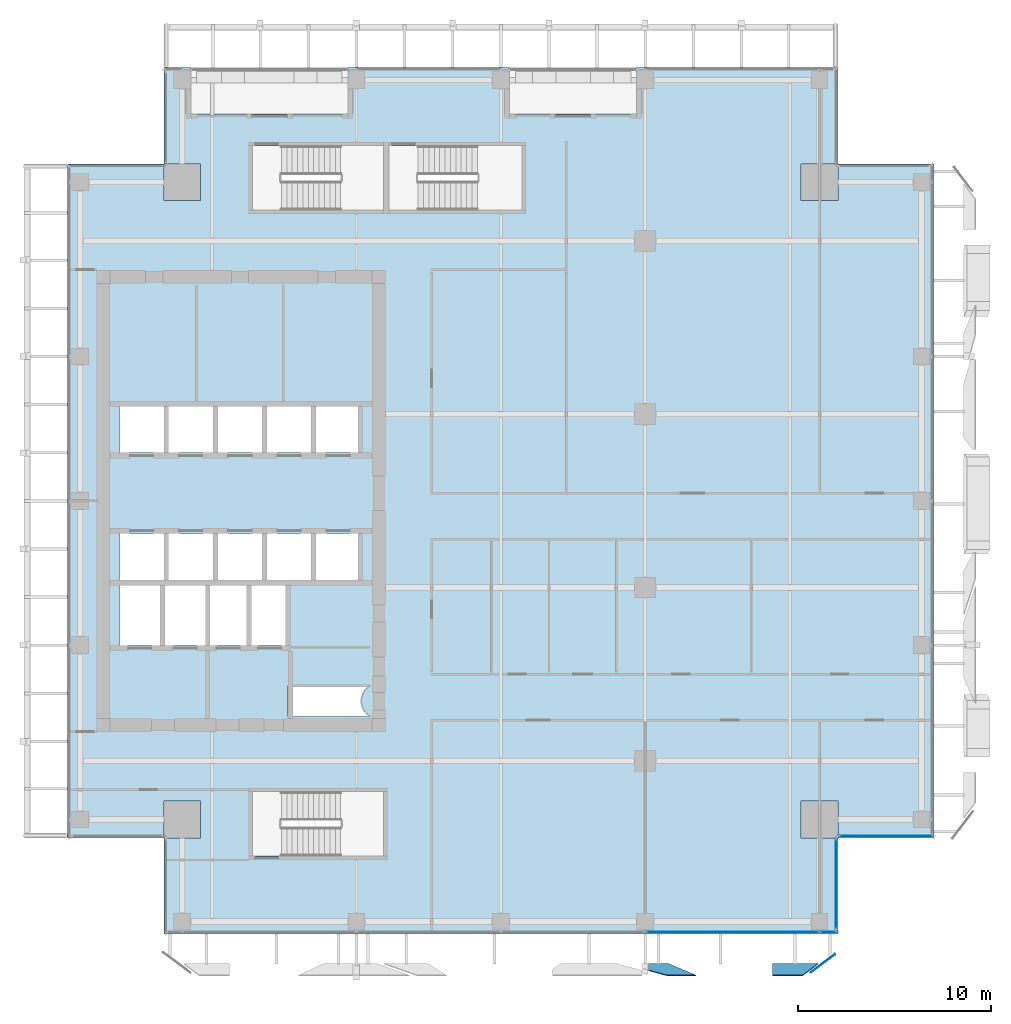
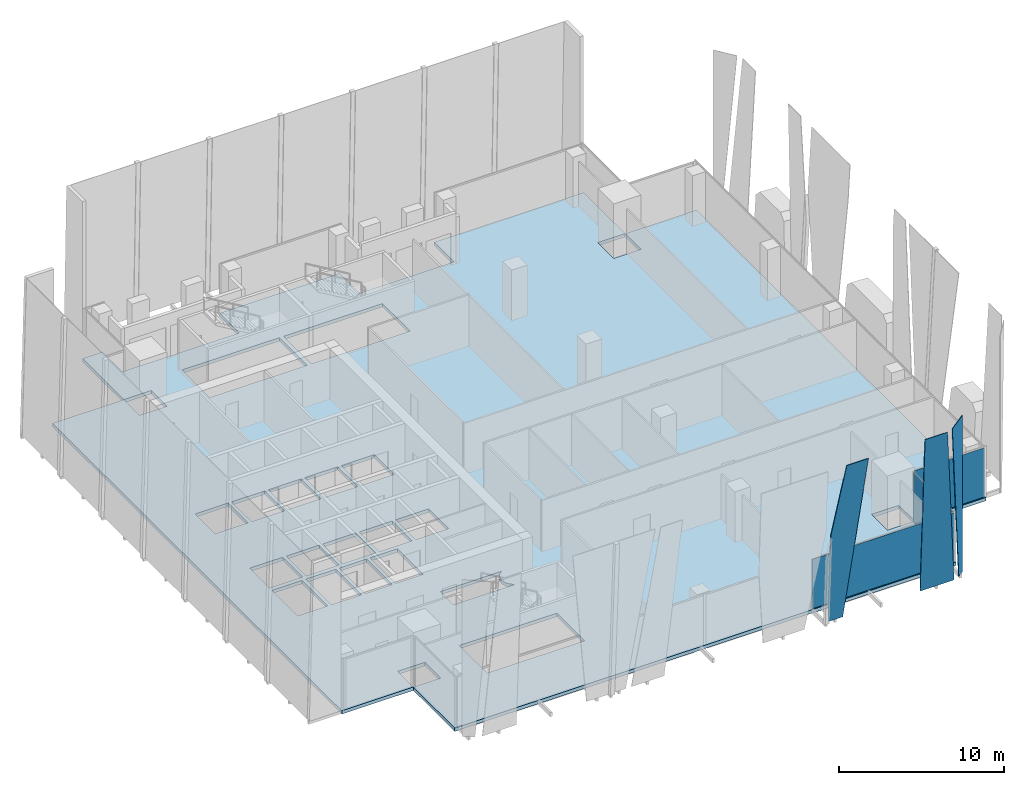
# One storey, part 22 of 33: 7 plates, 1 slab, 3 elements without a shape of their own.
"""IFC4 building model written with IfcOpenShell, lengths in metres."""

from ifc_helpers import new_model, si_unit, direction, frame, origin, origin_2d, place, context, subcontext, project, spatial, polyline, rectangle, outline, extrude, source, transform, mapped, material, layer, layer_set, type_object, element, aggregate, save


model = new_model("IFC4")

# Units and contexts
model_context = context("Model", 3, precision=1e-05, world=origin(), true_north=direction((0.0, 1.0)))
body_context = subcontext(model_context, "Body", "Model", "MODEL_VIEW")
ifc_project = project(units=[si_unit("LENGTHUNIT", "METRE"), si_unit("AREAUNIT", "SQUARE_METRE"), si_unit("VOLUMEUNIT", "CUBIC_METRE"), si_unit("PLANEANGLEUNIT", "RADIAN"), si_unit("MASSUNIT", "GRAM", prefix="KILO")], contexts=[model_context])

# Site, building, storey
site_placement = place(None, origin())
site = spatial("IfcSite", under=ifc_project, at=site_placement, CompositionType="ELEMENT")
building_placement = place(site_placement, origin())
building = spatial("IfcBuilding", under=site, at=building_placement, Name="Khomas Fold Tower", CompositionType="ELEMENT")
storey_placement = place(building_placement, frame((0.0, 0.0, 234.199951171875)))
storey = spatial("IfcBuildingStorey", under=building, at=storey_placement, Name="L52", CompositionType="ELEMENT", Elevation=234.199951171875)

# Plates
ifc_material_1 = material(Name="Clear laminated glass", Category="glass")
ifc_layer_1 = layer(ifc_material_1, 0.0400390625)
ifc_layer_set_1 = layer_set([ifc_layer_1], Name="Clear laminated glass")
plate_type_1 = type_object("IfcPlateType", Name="SK-Clear laminated glass leaf", PredefinedType="SHEET", material=ifc_layer_set_1)
plate_1_placement = place(storey_placement, frame((35.698486328125, 2.97119140625, 0.0), z_axis=(2.4559259e-05, 0.998628934894, 0.052347395239), x_axis=(-0.999999999698, 2.4525586e-05, 1.285613e-06)))
element("IfcPlate", 1, at=plate_1_placement, inside=storey, type_object=plate_type_1, Name="OUTER SKIN glass L52 SG103-8", PredefinedType="SHEET", context=body_context, shape_type="SweptSolid", body=[
    extrude(outline(polyline([(0.0, 0.0), (1.028564452814807, 0.0), (1.0285644543456718, 6.553904439711552), (0.06591796814949342, 11.565907674659146), (-1.4436035157702674, 11.565907674659146), (0.0, 0.0)])), origin(), (0.0, 0.0, -1.0), 0.0400390625),
])
plate_2_placement = place(storey_placement, frame((43.46875, 2.97119140625, 0.0), z_axis=(0.0, 0.99862882819, 0.052349436554), x_axis=(-1.0, 0.0, 0.0)))
element("IfcPlate", 2, at=plate_2_placement, inside=storey, type_object=plate_type_1, Name="OUTER SKIN glass L52 SG104-10", PredefinedType="SHEET", context=body_context, shape_type="SweptSolid", body=[
    extrude(outline(polyline([(0.0, 0.0), (2.36865234375, 0.0), (2.36865234375, 11.565907674683308), (0.799560546875, 11.565907674683308), (0.0, 0.0)])), origin(), (0.0, 0.0, -1.0), 0.0400390625),
])
plate_3_placement = place(storey_placement, frame((43.86962890625, 3.122802734375, 0.0), z_axis=(-0.603452393108, 0.797399027608, 4.709485e-06), x_axis=(-0.068969114787, -0.052200050116, 0.996252184928)))
element("IfcPlate", 3, at=plate_3_placement, inside=storey, type_object=plate_type_1, Name="OUTER SKIN glass L52 SG104-11", PredefinedType="SHEET", context=body_context, shape_type="SweptSolid", body=[
    extrude(outline(polyline([(0.0, 0.0), (11.59349911911952, 2.220446049250313e-16), (11.456818699888862, 1.574268515751649), (-0.04994268115327237, 0.5752337571620276), (0.0, 0.0)])), origin(), (0.0, 0.0, -1.0), 0.0400390625),
])

# Slab
ifc_material_2 = material(Name="Concrete C40/50", Category="concrete")
ifc_layer_2 = layer(ifc_material_2, 0.25)
ifc_layer_set_2 = layer_set([ifc_layer_2], Name="Concrete C40/50")
slab_type = type_object("IfcSlabType", Name="RC floor slab 250", PredefinedType="FLOOR", material=ifc_layer_set_2)
shared_shape_1 = source(origin(), body_context, "Body", "SweptSolid", [
    extrude(outline(polyline([(4.5, 9.5), (9.4951171875, 9.5), (9.4951171875, 11.405029296875), (11.405029296875, 11.405029296875), (11.405029296875, 9.4951171875), (9.5, 9.4951171875), (9.5, 4.5), (44.5, 4.5), (44.5, 9.4951171875), (42.594970703125, 9.4951171875), (42.594970703125, 11.405029296875), (44.5048828125, 11.405029296875), (44.5048828125, 9.5), (49.5, 9.5), (49.5, 44.5), (44.5048828125, 44.5), (44.5048828125, 42.594970703125), (42.594970703125, 42.594970703125), (42.594970703125, 44.5048828125), (44.5, 44.5048828125), (44.5, 49.5), (34.050048828125, 49.5), (34.050048828125, 47.10009765625), (27.449951171875, 47.10009765625), (27.449951171875, 49.5), (19.050048828125, 49.5), (19.050048828125, 47.10009765625), (10.89990234375, 47.10009765625), (10.89990234375, 49.5), (9.5, 49.5), (9.5, 44.5048828125), (11.405029296875, 44.5048828125), (11.405029296875, 42.594970703125), (9.4951171875, 42.594970703125), (9.4951171875, 44.5), (4.5, 44.5), (4.5, 9.5)]), holes=[polyline([(7.199951171875, 19.5), (7.199951171875, 22.60009765625), (9.300048828125, 22.60009765625), (9.300048828125, 19.5), (7.199951171875, 19.5)]), polyline([(7.199951171875, 22.89990234375), (7.199951171875, 25.300048828125), (9.5, 25.300048828125), (9.5, 22.89990234375), (7.199951171875, 22.89990234375)]), polyline([(7.199951171875, 29.5), (7.199951171875, 31.89990234375), (9.5, 31.89990234375), (9.5, 29.5), (7.199951171875, 29.5)]), polyline([(9.550048828125, 19.5), (9.550048828125, 22.60009765625), (11.64990234375, 22.60009765625), (11.64990234375, 19.5), (9.550048828125, 19.5)]), polyline([(9.75, 22.89990234375), (9.75, 25.300048828125), (12.050048828125, 25.300048828125), (12.050048828125, 22.89990234375), (9.75, 22.89990234375)]), polyline([(9.75, 29.5), (9.75, 31.89990234375), (12.050048828125, 31.89990234375), (12.050048828125, 29.5), (9.75, 29.5)]), polyline([(11.89990234375, 19.5), (11.89990234375, 22.60009765625), (13.800048828125, 22.60009765625), (13.800048828125, 19.5), (11.89990234375, 19.5)]), polyline([(12.300048828125, 22.89990234375), (12.300048828125, 25.300048828125), (14.60009765625, 25.300048828125), (14.60009765625, 22.89990234375), (12.300048828125, 22.89990234375)]), polyline([(12.300048828125, 29.5), (12.300048828125, 31.89990234375), (14.60009765625, 31.89990234375), (14.60009765625, 29.5), (12.300048828125, 29.5)]), polyline([(14.050048828125, 19.5), (14.050048828125, 22.60009765625), (15.949951171875, 22.60009765625), (15.949951171875, 19.5), (14.050048828125, 19.5)]), polyline([(14.10009765625, 8.550048828125), (14.10009765625, 11.89990234375), (20.89990234375, 11.89990234375), (20.89990234375, 8.550048828125), (14.10009765625, 8.550048828125)]), polyline([(14.10009765625, 42.10009765625), (14.10009765625, 45.449951171875), (20.89990234375, 45.449951171875), (20.89990234375, 42.10009765625), (14.10009765625, 42.10009765625)]), polyline([(14.85009765625, 22.89990234375), (14.85009765625, 25.300048828125), (17.14990234375, 25.300048828125), (17.14990234375, 22.89990234375), (14.85009765625, 22.89990234375)]), polyline([(14.85009765625, 29.5), (14.85009765625, 31.89990234375), (17.14990234375, 31.89990234375), (17.14990234375, 29.5), (14.85009765625, 29.5)]), polyline([(15.949951171875, 15.800048828125), (15.949951171875, 17.39990234375), (20.199951171875, 17.39990234375), (20.199951171875, 17.37841796875), (20.14990234375, 17.348388671875), (20.0791015625, 17.295654296875), (20.013671875, 17.236328125), (19.954345703125, 17.1708984375), (19.901611328125, 17.10009765625), (19.856201171875, 17.0244140625), (19.818603515625, 16.9443359375), (19.788818359375, 16.861328125), (19.767333984375, 16.775634765625), (19.75439453125, 16.688232421875), (19.75, 16.60009765625), (19.75439453125, 16.51171875), (19.767333984375, 16.42431640625), (19.788818359375, 16.338623046875), (19.818603515625, 16.255615234375), (19.856201171875, 16.17578125), (19.901611328125, 16.10009765625), (19.954345703125, 16.029052734375), (20.013671875, 15.963623046875), (20.0791015625, 15.904296875), (20.14990234375, 15.851806640625), (20.199951171875, 15.82177734375), (20.199951171875, 15.800048828125), (15.949951171875, 15.800048828125)]), polyline([(17.39990234375, 22.89990234375), (17.39990234375, 25.300048828125), (19.699951171875, 25.300048828125), (19.699951171875, 22.89990234375), (17.39990234375, 22.89990234375)]), polyline([(17.39990234375, 29.5), (17.39990234375, 31.89990234375), (19.699951171875, 31.89990234375), (19.699951171875, 29.5), (17.39990234375, 29.5)]), polyline([(21.199951171875, 42.10009765625), (21.199951171875, 45.449951171875), (28.10009765625, 45.449951171875), (28.10009765625, 42.10009765625), (21.199951171875, 42.10009765625)])]), origin(), (0.0, 0.0, 1.0), 0.25),
])
slab_placement = place(storey_placement, frame((0.0, 0.0, -0.25)))
element("IfcSlab", 4, at=slab_placement, inside=storey, type_object=slab_type, Name="S-L52", PredefinedType="FLOOR", context=body_context, shape_type="MappedRepresentation", body=[
    mapped(shared_shape_1, transform((0.0, 0.0, 0.0))),
])

# Curtain wall, plates
ifc_material_3 = material(Name="Aluminium framed double glazing", Category="aluminium")
curtain_wall_type = type_object("IfcCurtainWallType", Name="SK-Unitised clear-glass wall, office floors CW2", PredefinedType="NOTDEFINED", material=ifc_material_3)
curtain_wall_1_placement = place(storey_placement, origin())
curtain_wall_1 = element("IfcCurtainWall", 5, at=curtain_wall_1_placement, inside=storey, type_object=curtain_wall_type, Name="CW2 run L52 00-0", PredefinedType="NOTDEFINED")
ifc_material_4 = material(Name="Clear double glazed unit")
ifc_layer_3 = layer(ifc_material_4, 0.030029296875)
ifc_layer_set_3 = layer_set([ifc_layer_3], Name="Clear double glazed unit")
plate_type_2 = type_object("IfcPlateType", Name="SK-Unitised clear-glass wall, office floors glass panel CW2-P", PredefinedType="CURTAIN_PANEL", material=ifc_layer_set_3)
shared_shape_2 = source(origin(), body_context, "Body", "SweptSolid", [
    extrude(rectangle(XDim=0.860107421875, YDim=0.030029296875, at=origin_2d()), origin(), (0.0, 0.0, 1.0), 3.639892578125),
])
plate_4_placement = place(storey_placement, frame((44.010009765625, 4.60009765625, 0.0), z_axis=(0.0, 0.0, 1.0), x_axis=(1.0, 0.0, 0.0)))
plate_4 = element("IfcPlate", 6, at=plate_4_placement, type_object=plate_type_2, Name="CW2 glass panel 6", PredefinedType="CURTAIN_PANEL", context=body_context, shape_type="MappedRepresentation", body=[
    mapped(shared_shape_2, transform((0.0, 0.0, 0.0))),
])
shared_shape_3 = source(origin(), body_context, "Body", "SweptSolid", [
    extrude(rectangle(XDim=8.989990234375, YDim=0.030029296875, at=origin_2d()), origin(), (0.0, 0.0, 1.0), 3.639892578125),
])
plate_5_placement = place(storey_placement, frame((39.02490234375, 4.60009765625, 0.0), z_axis=(0.0, 0.0, 1.0), x_axis=(1.0, 0.0, 0.0)))
plate_5 = element("IfcPlate", 7, at=plate_5_placement, type_object=plate_type_2, Name="CW2 glass panel 5", PredefinedType="CURTAIN_PANEL", context=body_context, shape_type="MappedRepresentation", body=[
    mapped(shared_shape_3, transform((0.0, 0.0, 0.0))),
])
aggregate(curtain_wall_1, [plate_5, plate_4])

# Curtain wall, plate
curtain_wall_2_placement = place(storey_placement, origin())
curtain_wall_2 = element("IfcCurtainWall", 8, at=curtain_wall_2_placement, inside=storey, type_object=curtain_wall_type, Name="CW2 corner return L52 01", PredefinedType="NOTDEFINED")
shared_shape_4 = source(origin(), body_context, "Body", "SweptSolid", [
    extrude(rectangle(XDim=4.679931640625, YDim=0.030029296875, at=origin_2d()), origin(), (0.0, 0.0, 1.0), 3.639892578125),
])
plate_6_placement = place(storey_placement, frame((44.39990234375, 7.10009765625, 0.0), z_axis=(0.0, 0.0, 1.0), x_axis=(0.0, 1.0, 0.0)))
plate_6 = element("IfcPlate", 9, at=plate_6_placement, type_object=plate_type_2, Name="CW2 glass panel 1", PredefinedType="CURTAIN_PANEL", context=body_context, shape_type="MappedRepresentation", body=[
    mapped(shared_shape_4, transform((0.0, 0.0, 0.0))),
])
aggregate(curtain_wall_2, [plate_6])

curtain_wall_3_placement = place(storey_placement, origin())
curtain_wall_3 = element("IfcCurtainWall", 10, at=curtain_wall_3_placement, inside=storey, type_object=curtain_wall_type, Name="CW2 corner return L52 02", PredefinedType="NOTDEFINED")
shared_shape_5 = source(origin(), body_context, "Body", "SweptSolid", [
    extrude(rectangle(XDim=4.8798828125, YDim=0.030029296875, at=origin_2d()), origin(), (0.0, 0.0, 1.0), 3.639892578125),
])
plate_7_placement = place(storey_placement, frame((47.0, 9.60009765625, 0.0), z_axis=(0.0, 0.0, 1.0), x_axis=(1.0, 0.0, 0.0)))
plate_7 = element("IfcPlate", 11, at=plate_7_placement, type_object=plate_type_2, Name="CW2 glass panel 1", PredefinedType="CURTAIN_PANEL", context=body_context, shape_type="MappedRepresentation", body=[
    mapped(shared_shape_5, transform((0.0, 0.0, 0.0))),
])
aggregate(curtain_wall_3, [plate_7])

save(model, "model.ifc")
